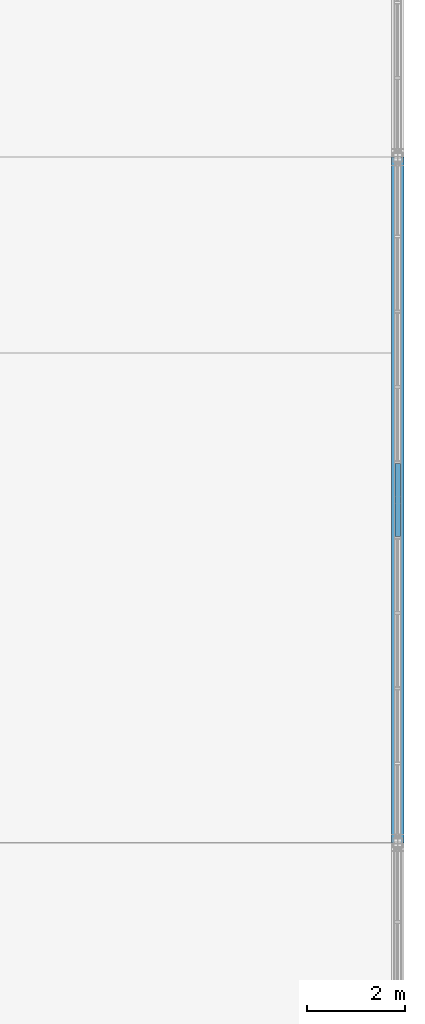
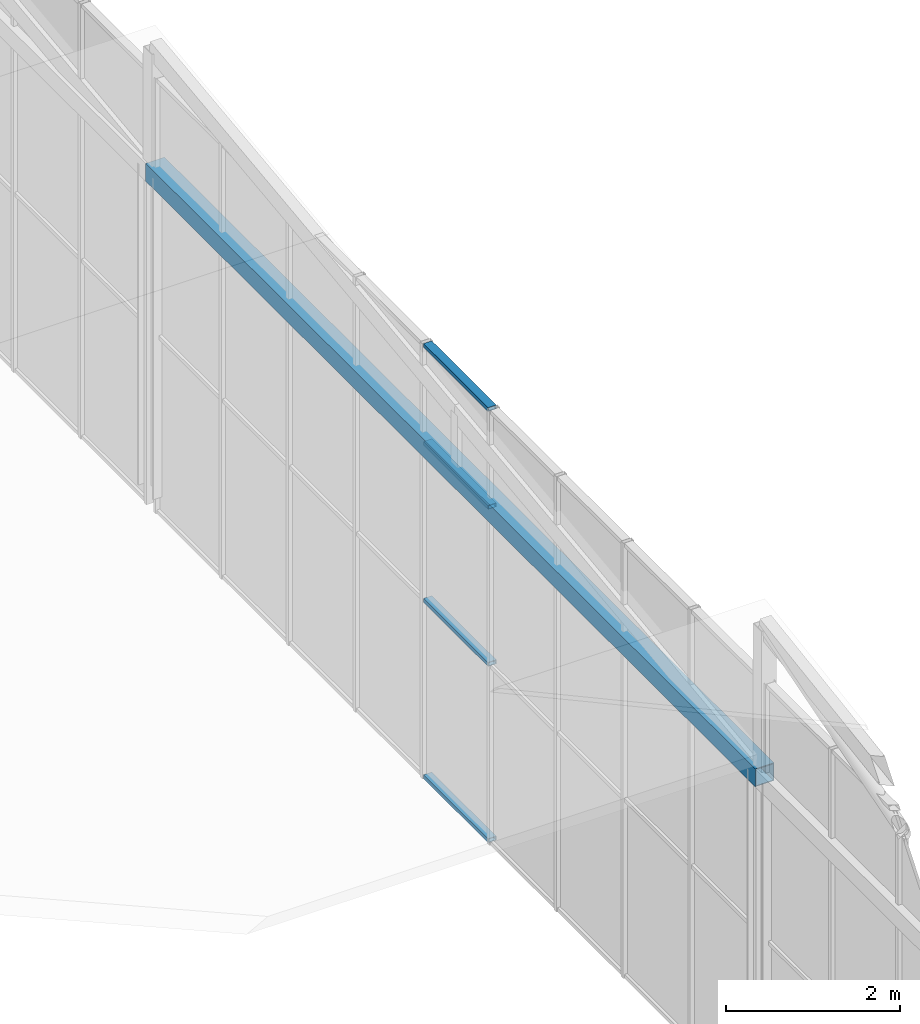
# One storey, part 69 of 104: 5 members, 1 element without a shape of its own.
"""IFC4 building model written with IfcOpenShell, lengths in metres."""

import ifcopenshell
import ifcopenshell.guid

model = None  # the IFC model being written
_history = None  # IfcOwnerHistory: only IFC2X3 demands one
_inside = {}  # id of a spatial element -> (the spatial element, [elements in it])
_under = {}  # id of a project, library or spatial element -> (it, [spatial elements below it])
_declared = {}  # id of a project -> (the project, [libraries it declares])
_typed = {}  # id of a type object -> (the type object, [elements of that type])
_made_of = {}  # id of a material, layer set ... -> (it, [elements and type objects made of it])


def new_model(schema):
    """Start an empty IFC model of exactly this schema.

    Asked for "IFC4X3", IfcOpenShell would pick the latest addendum, in which some entities
    have other attributes; the version numbers below select the first issue.
    IFC2X3 requires an IfcOwnerHistory on every rooted entity: one is made here for all.
    """
    global model, _history
    if schema == "IFC4X3":
        model = ifcopenshell.file(schema_version=(4, 3, 0, 0))
    else:
        model = ifcopenshell.file(schema=schema)
    _inside.clear()
    _under.clear()
    _declared.clear()
    _typed.clear()
    _made_of.clear()
    _history = None
    if model.schema == "IFC2X3":
        org = make("IfcOrganization", Name="unknown")
        user = make(
            "IfcPersonAndOrganization",
            ThePerson=make("IfcPerson", FamilyName="unknown"),
            TheOrganization=org,
        )
        app = make(
            "IfcApplication",
            ApplicationDeveloper=org,
            Version="unknown",
            ApplicationFullName="unknown",
            ApplicationIdentifier="unknown",
        )
        _history = make(
            "IfcOwnerHistory",
            OwningUser=user,
            OwningApplication=app,
            ChangeAction="ADDED",
            CreationDate=0,
        )
    return model


def make(cls, **values):
    """One entity of the class cls with the attributes given. An attribute that is None is left unset."""
    return model.create_entity(
        cls, **{name: value for name, value in values.items() if value is not None}
    )


def rooted(cls, **values):
    """An entity with a GlobalId (a new one), such as an element, a storey or a relation."""
    return make(cls, GlobalId=ifcopenshell.guid.new(), OwnerHistory=_history, **values)


def si_unit(unit_type, name, prefix=None):
    """IfcSIUnit, for example si_unit("LENGTHUNIT", "METRE", prefix="MILLI")."""
    return make("IfcSIUnit", UnitType=unit_type, Prefix=prefix, Name=name)


def assignment(units):
    """IfcUnitAssignment: the units of a project."""
    return None if units is None else make("IfcUnitAssignment", Units=units)


def point(xyz):
    """IfcCartesianPoint."""
    return None if xyz is None else make("IfcCartesianPoint", Coordinates=xyz)


def direction(xyz):
    """IfcDirection."""
    return None if xyz is None else make("IfcDirection", DirectionRatios=xyz)


def frame(location, z_axis=None, x_axis=None):
    """IfcAxis2Placement3D, a coordinate frame: its origin and axes. An axis left out is left unset."""
    return make(
        "IfcAxis2Placement3D",
        Location=point(location),
        Axis=direction(z_axis),
        RefDirection=direction(x_axis),
    )


def frame_2d(location, x_axis=None):
    """IfcAxis2Placement2D, a coordinate frame in the plane: its origin and x axis."""
    return make(
        "IfcAxis2Placement2D", Location=point(location), RefDirection=direction(x_axis)
    )


def origin():
    """The frame at (0, 0, 0) with its axes left unset."""
    return frame((0.0, 0.0, 0.0))


def origin_2d():
    """The frame at (0, 0) in the plane with its x axis left unset."""
    return frame_2d((0.0, 0.0))


def place(relative_to, where):
    """IfcLocalPlacement: puts the frame where relative to a parent placement (None: the world)."""
    return make(
        "IfcLocalPlacement", PlacementRelTo=relative_to, RelativePlacement=where
    )


def context(
    kind, dimensions, precision=None, world=None, true_north=None, identifier=None
):
    """IfcGeometricRepresentationContext, for example the 3D "Model" context."""
    return make(
        "IfcGeometricRepresentationContext",
        ContextIdentifier=identifier,
        ContextType=kind,
        CoordinateSpaceDimension=dimensions,
        Precision=precision,
        WorldCoordinateSystem=world,
        TrueNorth=true_north,
    )


def subcontext(parent, identifier, kind, view, scale=None):
    """IfcGeometricRepresentationSubContext, for example "Body" below "Model"."""
    return make(
        "IfcGeometricRepresentationSubContext",
        ContextIdentifier=identifier,
        ContextType=kind,
        ParentContext=parent,
        TargetScale=scale,
        TargetView=view,
    )


def project(units=None, contexts=None):
    """IfcProject with its units and contexts."""
    return rooted(
        "IfcProject",
        Name="project",
        RepresentationContexts=contexts,
        UnitsInContext=assignment(units),
    )


def spatial(cls, under=None, at=None, **own):
    """A site, building, storey or space (cls), placed at a placement, below another one or the project."""
    s = rooted(cls, ObjectPlacement=at, **own)
    if under is not None:
        _under.setdefault(under.id(), (under, []))[1].append(s)
    return s


def profile(cls, at=None, kind="AREA", **sizes):
    """A parametric profile (cls). Its sizes go by their IFC names, for example OverallWidth=200.0."""
    return make(cls, ProfileType=kind, Position=at, **sizes)


def hollow_rectangle(**sizes):
    """IfcRectangleHollowProfileDef."""
    return profile("IfcRectangleHollowProfileDef", **sizes)


def extrude(swept, where, along, depth):
    """IfcExtrudedAreaSolid: the profile swept, set in the frame where, extruded along a direction by depth."""
    return make(
        "IfcExtrudedAreaSolid",
        SweptArea=swept,
        Position=where,
        ExtrudedDirection=direction(along),
        Depth=depth,
    )


def shape(context_of_items, identifier, shape_type, items):
    """IfcShapeRepresentation: the items that make up one representation, for example the "Body"."""
    return make(
        "IfcShapeRepresentation",
        ContextOfItems=context_of_items,
        RepresentationIdentifier=identifier,
        RepresentationType=shape_type,
        Items=items,
    )


def material(Name=None, Category=None):
    """IfcMaterial."""
    return make("IfcMaterial", Name=Name, Category=Category)


def layer(
    of_material, thickness, ventilated=None, Name=None, Category=None, Priority=None
):
    """IfcMaterialLayer: one layer of a wall or slab, of a material (None: an air gap)."""
    return make(
        "IfcMaterialLayer",
        Material=of_material,
        LayerThickness=thickness,
        IsVentilated=ventilated,
        Name=Name,
        Category=Category,
        Priority=Priority,
    )


def layer_set(layers, Name=None):
    """IfcMaterialLayerSet."""
    return make("IfcMaterialLayerSet", MaterialLayers=layers, LayerSetName=Name)


def material_profile(
    of_material, cross_section, Name=None, Category=None, Priority=None
):
    """IfcMaterialProfile: a cross section and its material."""
    return make(
        "IfcMaterialProfile",
        Name=Name,
        Material=of_material,
        Profile=cross_section,
        Priority=Priority,
        Category=Category,
    )


def profile_set(profiles, Name=None, composite=None):
    """IfcMaterialProfileSet."""
    return make(
        "IfcMaterialProfileSet",
        Name=Name,
        MaterialProfiles=profiles,
        CompositeProfile=composite,
    )


def made_of(thing, what):
    """Note that an element or type object is made of a material, layer set ...; save() writes the relation."""
    if what is not None:
        _made_of.setdefault(what.id(), (what, []))[1].append(thing)
    return thing


def type_object(cls, material=None, **own):
    """A type object (cls), such as IfcWallType, which elements share."""
    return made_of(rooted(cls, **own), material)


def element(
    cls,
    number,
    at=None,
    inside=None,
    cuts=None,
    type_object=None,
    material=None,
    context=None,
    identifier="Body",
    shape_type=None,
    held_by="IfcProductDefinitionShape",
    body=None,
    shapes=None,
    **own,
):
    """One element of the class cls, such as IfcWall. Its Tag is "e" and its number.

    at: its placement. inside: the storey or other place that contains it. cuts: it is an
    opening in that element (IfcRelVoidsElement). A single representation is given by context,
    identifier, shape_type and body (its items); several are given by shapes. held_by: the class
    of the entity that holds the representations. save() writes the other relations.
    """
    e = rooted(cls, Tag="e%d" % number, ObjectPlacement=at, **own)
    if body is not None:
        shapes = [shape(context, identifier, shape_type, body)]
    if shapes is not None:
        e.Representation = make(held_by, Representations=shapes)
    if inside is not None:
        _inside.setdefault(inside.id(), (inside, []))[1].append(e)
    if cuts is not None:
        rooted(
            "IfcRelVoidsElement", RelatingBuildingElement=cuts, RelatedOpeningElement=e
        )
    if type_object is not None:
        _typed.setdefault(type_object.id(), (type_object, []))[1].append(e)
    return made_of(e, material)


def aggregate(whole, parts):
    """IfcRelAggregates: a whole, such as a stair, and the parts it consists of."""
    return rooted("IfcRelAggregates", RelatingObject=whole, RelatedObjects=parts)


def save(model, path):
    """Write the relations noted so far, then the file.

    IfcRelAggregates (storeys below a building ...), IfcRelContainedInSpatialStructure (elements
    in a storey), IfcRelDefinesByType, IfcRelAssociatesMaterial and IfcRelDeclares: one each for
    every whole, place, type object, material and project.
    """
    for whole, parts in _under.values():
        aggregate(whole, parts)
    for where, things in _inside.values():
        rooted(
            "IfcRelContainedInSpatialStructure",
            RelatedElements=things,
            RelatingStructure=where,
        )
    for kind, things in _typed.values():
        rooted("IfcRelDefinesByType", RelatedObjects=things, RelatingType=kind)
    for what, things in _made_of.values():
        rooted("IfcRelAssociatesMaterial", RelatedObjects=things, RelatingMaterial=what)
    for by, libraries in _declared.values():
        rooted("IfcRelDeclares", RelatingContext=by, RelatedDefinitions=libraries)
    model.write(path)


model = new_model("IFC4")

# Units and contexts
model_context = context("Model", 3, precision=1e-05, world=origin(), true_north=direction((0.0, 1.0)))
body_context = subcontext(model_context, "Body", "Model", "MODEL_VIEW")
ifc_project = project(units=[si_unit("LENGTHUNIT", "METRE"), si_unit("AREAUNIT", "SQUARE_METRE"), si_unit("VOLUMEUNIT", "CUBIC_METRE"), si_unit("PLANEANGLEUNIT", "RADIAN"), si_unit("MASSUNIT", "GRAM", prefix="KILO")], contexts=[model_context])

# Site, building, storey
site_placement = place(None, origin())
site = spatial("IfcSite", under=ifc_project, at=site_placement, CompositionType="ELEMENT")
building_placement = place(site_placement, origin())
building = spatial("IfcBuilding", under=site, at=building_placement, Name="Solvenia Promenade Tram Depot", CompositionType="ELEMENT")
storey_placement = place(building_placement, frame((0.0, 0.0, 9.0)))
storey = spatial("IfcBuildingStorey", under=building, at=storey_placement, Name="L02", CompositionType="ELEMENT", Elevation=9.0)

# Curtain wall, members
ifc_material_1 = material(Name="Anodized aluminium AW-6063 T6", Category="aluminium")
ifc_layer = layer(ifc_material_1, 0.080078125, Name="Anodized aluminium AW-6063 T6", Category="aluminium")
ifc_layer_set = layer_set([ifc_layer], Name="Anodized aluminium AW-6063 T6")
curtain_wall_type = type_object("IfcCurtainWallType", Name="CW-Clerest-1500", PredefinedType="NOTDEFINED", material=ifc_layer_set)
curtain_wall_placement = place(storey_placement, origin())
curtain_wall = element("IfcCurtainWall", 1, at=curtain_wall_placement, inside=storey, type_object=curtain_wall_type, Name="Curtain Wall CW-V2E-L2-2", PredefinedType="NOTDEFINED")
ifc_material_profile_1 = material_profile(ifc_material_1, hollow_rectangle(XDim=0.110107421875, YDim=0.054931640625, WallThickness=0.00390625, at=origin_2d()), Name="ALU-T4", Category="aluminium")
ifc_profile_set_1 = profile_set([ifc_material_profile_1], Name="Anodized aluminium AW-6063 T6")
member_type_1 = type_object("IfcMemberType", Name="CWT-Transom-4", PredefinedType="USERDEFINED", material=ifc_profile_set_1)
member_1_placement = place(storey_placement, frame((186.0, 44.258544921875, -0.222412109375), z_axis=(0.0, 1.0, 0.0), x_axis=(-1.0, 0.0, 0.0)))
member_1 = element("IfcMember", 2, at=member_1_placement, type_object=member_type_1, Name="CW-4 transom 5.1", ObjectType="TRANSOM", PredefinedType="USERDEFINED", context=body_context, shape_type="SweptSolid", body=[
    extrude(hollow_rectangle(XDim=0.110107421875, YDim=0.054931640625, WallThickness=0.00390625, at=origin_2d()), origin(), (0.0, 0.0, 1.0), 1.48291015625),
])
member_2_placement = place(storey_placement, frame((186.0, 44.258544921875, 2.25), z_axis=(0.0, 1.0, 0.0), x_axis=(-1.0, 0.0, 0.0)))
member_2 = element("IfcMember", 3, at=member_2_placement, type_object=member_type_1, Name="CW-4 transom 5.2", ObjectType="TRANSOM", PredefinedType="USERDEFINED", context=body_context, shape_type="SweptSolid", body=[
    extrude(hollow_rectangle(XDim=0.110107421875, YDim=0.054931640625, WallThickness=0.00390625, at=origin_2d()), origin(), (0.0, 0.0, 1.0), 1.48291015625),
])
member_3_placement = place(storey_placement, frame((186.0, 44.258544921875, 4.449951171875), z_axis=(0.0, 1.0, 0.0), x_axis=(-1.0, 0.0, 0.0)))
member_3 = element("IfcMember", 4, at=member_3_placement, type_object=member_type_1, Name="CW-4 transom 5.3", ObjectType="TRANSOM", PredefinedType="USERDEFINED", context=body_context, shape_type="SweptSolid", body=[
    extrude(hollow_rectangle(XDim=0.110107421875, YDim=0.054931640625, WallThickness=0.00390625, at=origin_2d()), origin(), (0.0, 0.0, 1.0), 1.48291015625),
])
member_4_placement = place(storey_placement, frame((186.0, 44.258544921875, 5.822509765625), z_axis=(0.0, 1.0, 0.0), x_axis=(-1.0, 0.0, 0.0)))
member_4 = element("IfcMember", 5, at=member_4_placement, type_object=member_type_1, Name="CW-4 transom 5.4", ObjectType="TRANSOM", PredefinedType="USERDEFINED", context=body_context, shape_type="SweptSolid", body=[
    extrude(hollow_rectangle(XDim=0.110107421875, YDim=0.054931640625, WallThickness=0.00390625, at=origin_2d()), origin(), (0.0, 0.0, 1.0), 1.48291015625),
])
aggregate(curtain_wall, [member_1, member_2, member_3, member_4])

# Member
ifc_material_2 = material(Name="Structural steel ASTM A500 Gr. C", Category="steel")
ifc_material_profile_2 = material_profile(ifc_material_2, hollow_rectangle(XDim=0.25, YDim=0.25, WallThickness=0.010009765625, at=origin_2d()), Name="HSS250x250x10", Category="steel")
ifc_profile_set_2 = profile_set([ifc_material_profile_2], Name="Structural steel ASTM A500 Gr. C")
member_type_2 = type_object("IfcMemberType", Name="Chord-HSS250x250x10", PredefinedType="CHORD", material=ifc_profile_set_2)
member_5_placement = place(storey_placement, frame((186.0, 38.0, 4.47998046875), z_axis=(0.0, 1.0, 0.0), x_axis=(-1.0, 0.0, 0.0)))
element("IfcMember", 6, at=member_5_placement, inside=storey, type_object=member_type_2, Name="Workshop Sawtooth Bottom Tie 1-10", PredefinedType="CHORD", context=body_context, shape_type="SweptSolid", body=[
    extrude(hollow_rectangle(XDim=0.25, YDim=0.25, WallThickness=0.010009765625, at=origin_2d()), origin(), (0.0, 0.0, 1.0), 14.0),
])

save(model, "model.ifc")
